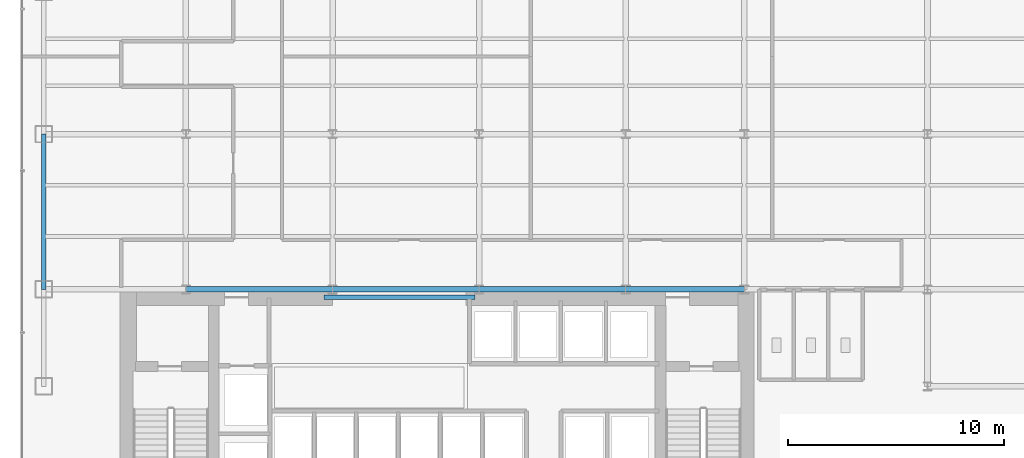
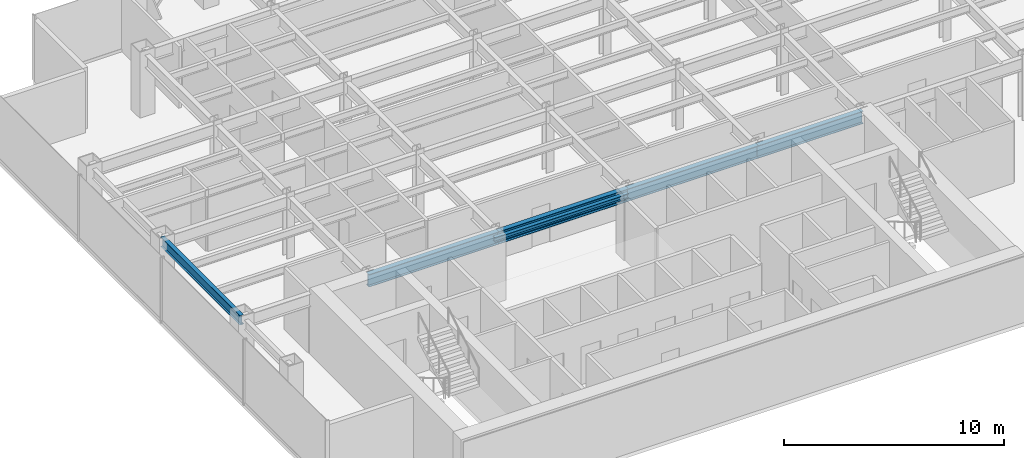
# One storey, part 3 of 26: 6 beams.
"""IFC4 building model written with IfcOpenShell, lengths in metres."""

from ifc_helpers import new_model, si_unit, derived_unit, direction, frame, origin, origin_2d, place, context, subcontext, project, spatial, i_section, extrude, source, transform, mapped, material, material_profile, profile_set, type_object, element, save


model = new_model("IFC4")

# Units and contexts
model_context = context("Model", 3, precision=1e-05, world=origin(), true_north=direction((0.0, 1.0)))
body_context = subcontext(model_context, "Body", "Model", "MODEL_VIEW")
ifc_project = project(units=[si_unit("LENGTHUNIT", "METRE"), si_unit("AREAUNIT", "SQUARE_METRE"), si_unit("VOLUMEUNIT", "CUBIC_METRE"), si_unit("PLANEANGLEUNIT", "RADIAN"), si_unit("MASSUNIT", "GRAM", prefix="KILO"), derived_unit("THERMALTRANSMITTANCEUNIT", [(si_unit("POWERUNIT", "WATT"), 1), (si_unit("LENGTHUNIT", "METRE"), -2), (si_unit("THERMODYNAMICTEMPERATUREUNIT", "KELVIN"), -1)])], contexts=[model_context])

# Site, building, storey
site_placement = place(None, origin())
site = spatial("IfcSite", under=ifc_project, at=site_placement, CompositionType="ELEMENT")
building_placement = place(site_placement, origin())
building = spatial("IfcBuilding", under=site, at=building_placement, Name="Skarnbrae Concourse Arena and Tower", CompositionType="ELEMENT")
storey_placement = place(building_placement, frame((0.0, 0.0, 106.89990234375)))
storey = spatial("IfcBuildingStorey", under=building, at=storey_placement, Name="L26", CompositionType="ELEMENT", Elevation=106.89990234375)

# Beams
ifc_material = material(Name="Steel CSA G40.21 350W", Category="steel")
ifc_material_profile_1 = material_profile(ifc_material, i_section(OverallWidth=0.202880859375, OverallDepth=0.251953125, WebThickness=0.008056640625, FlangeThickness=0.013427734375, at=origin_2d()), Name="W250X58")
ifc_profile_set_1 = profile_set([ifc_material_profile_1], Name="Steel CSA G40.21 350W")
beam_type_1 = type_object("IfcBeamType", Name="BM-LINTEL-W250X58", PredefinedType="LINTEL", material=ifc_profile_set_1)
shared_shape_1 = source(origin(), body_context, "Body", "SweptSolid", [
    extrude(i_section(OverallWidth=0.202880859375, OverallDepth=0.251953125, WebThickness=0.008056640625, FlangeThickness=0.013427734375, at=origin_2d()), origin(), (0.0, 0.0, 1.0), 7.0),
])
beam_1_placement = place(storey_placement, frame((14.0, 13.625, 3.274169921875), z_axis=(1.0, 0.0, 0.0), x_axis=(0.0, 1.0, 0.0)))
element("IfcBeam", 1, at=beam_1_placement, inside=storey, type_object=beam_type_1, Name="L26 Core portal coupling lintel", PredefinedType="LINTEL", context=body_context, shape_type="MappedRepresentation", body=[
    mapped(shared_shape_1, transform((0.0, 0.0, 0.0))),
])
ifc_material_profile_2 = material_profile(ifc_material, i_section(OverallWidth=0.256103515625, OverallDepth=0.693115234375, WebThickness=0.014404296875, FlangeThickness=0.023681640625, at=origin_2d()), Name="W690X170")
ifc_profile_set_2 = profile_set([ifc_material_profile_2], Name="Steel CSA G40.21 350W")
beam_type_2 = type_object("IfcBeamType", Name="BM-GIRD-W690X170", PredefinedType="BEAM", material=ifc_profile_set_2)
shared_shape_2 = source(origin(), body_context, "Body", "SweptSolid", [
    extrude(i_section(OverallWidth=0.256103515625, OverallDepth=0.693115234375, WebThickness=0.014404296875, FlangeThickness=0.023681640625, at=origin_2d()), origin(), (0.0, 0.0, 1.0), 6.7998046875),
])
beam_2_placement = place(storey_placement, frame((7.60009765625, 14.0, 3.0537109375), z_axis=(1.0, 0.0, 0.0), x_axis=(0.0, 1.0, 0.0)))
element("IfcBeam", 2, at=beam_2_placement, inside=storey, type_object=beam_type_2, Name="L26 Primary E-W girder Y14.0-2", PredefinedType="BEAM", context=body_context, shape_type="MappedRepresentation", body=[
    mapped(shared_shape_2, transform((0.0, 0.0, 0.0))),
])
shared_shape_3 = source(origin(), body_context, "Body", "SweptSolid", [
    extrude(i_section(OverallWidth=0.256103515625, OverallDepth=0.693115234375, WebThickness=0.014404296875, FlangeThickness=0.023681640625, at=origin_2d()), origin(), (0.0, 0.0, 1.0), 6.800048828125),
])
for number, where, z_axis, x_axis, name in (
    (3, (14.39990234375, 14.0, 3.0537109375), (1.0, 0.0, 0.0), (0.0, 1.0, 0.0), "L26 Primary E-W girder Y14.0-3"),
    (4, (21.199951171875, 14.0, 3.0537109375), (1.0, 0.0, 0.0), (0.0, 1.0, 0.0), "L26 Primary E-W girder Y14.0-4"),
):
    element("IfcBeam", number, at=place(storey_placement, frame(where, z_axis=z_axis, x_axis=x_axis)), inside=storey, type_object=beam_type_2, Name=name, PredefinedType="BEAM", context=body_context, shape_type="MappedRepresentation", body=[
        mapped(shared_shape_3, transform((0.0, 0.0, 0.0))),
    ])
shared_shape_4 = source(origin(), body_context, "Body", "SweptSolid", [
    extrude(i_section(OverallWidth=0.256103515625, OverallDepth=0.693115234375, WebThickness=0.014404296875, FlangeThickness=0.023681640625, at=origin_2d()), origin(), (0.0, 0.0, 1.0), 5.5),
])
beam_3_placement = place(storey_placement, frame((28.0, 14.0, 3.0537109375), z_axis=(1.0, 0.0, 0.0), x_axis=(0.0, 1.0, 0.0)))
element("IfcBeam", 5, at=beam_3_placement, inside=storey, type_object=beam_type_2, Name="L26 Primary E-W girder Y14.0-5", PredefinedType="BEAM", context=body_context, shape_type="MappedRepresentation", body=[
    mapped(shared_shape_4, transform((0.0, 0.0, 0.0))),
])
ifc_material_profile_3 = material_profile(ifc_material, i_section(OverallWidth=0.208984375, OverallDepth=0.532958984375, WebThickness=0.01025390625, FlangeThickness=0.015625, at=origin_2d()), Name="W530X92")
ifc_profile_set_3 = profile_set([ifc_material_profile_3], Name="Steel CSA G40.21 350W")
beam_type_3 = type_object("IfcBeamType", Name="BM-SPAN-W530X92", PredefinedType="SPANDREL", material=ifc_profile_set_3)
shared_shape_5 = source(origin(), body_context, "Body", "SweptSolid", [
    extrude(i_section(OverallWidth=0.208984375, OverallDepth=0.532958984375, WebThickness=0.01025390625, FlangeThickness=0.015625, at=origin_2d()), origin(), (0.0, 0.0, 1.0), 7.199951171875),
])
beam_4_placement = place(storey_placement, frame((1.0, 14.0, 3.133544921875), z_axis=(0.0, 1.0, 0.0), x_axis=(-1.0, 0.0, 0.0)))
element("IfcBeam", 6, at=beam_4_placement, inside=storey, type_object=beam_type_3, Name="L26 Perimeter spandrel X1.0-2", PredefinedType="SPANDREL", context=body_context, shape_type="MappedRepresentation", body=[
    mapped(shared_shape_5, transform((0.0, 0.0, 0.0))),
])

save(model, "model.ifc")
